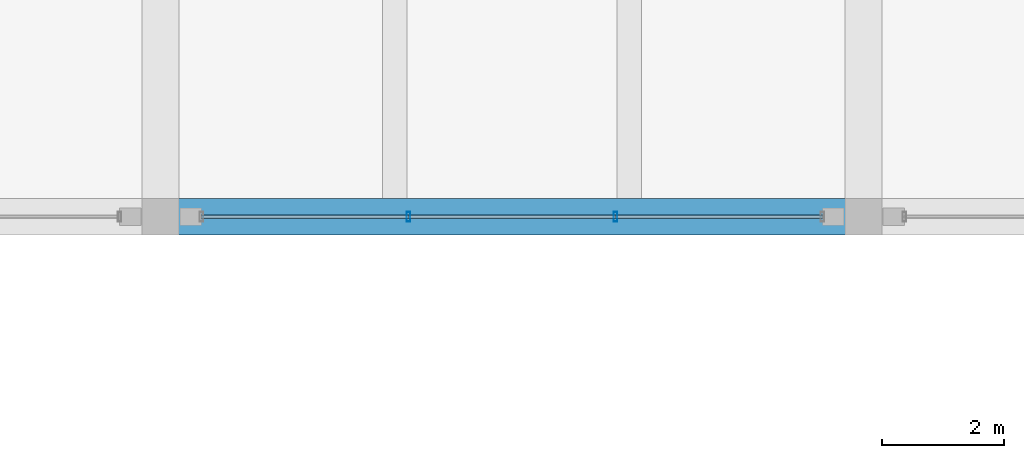
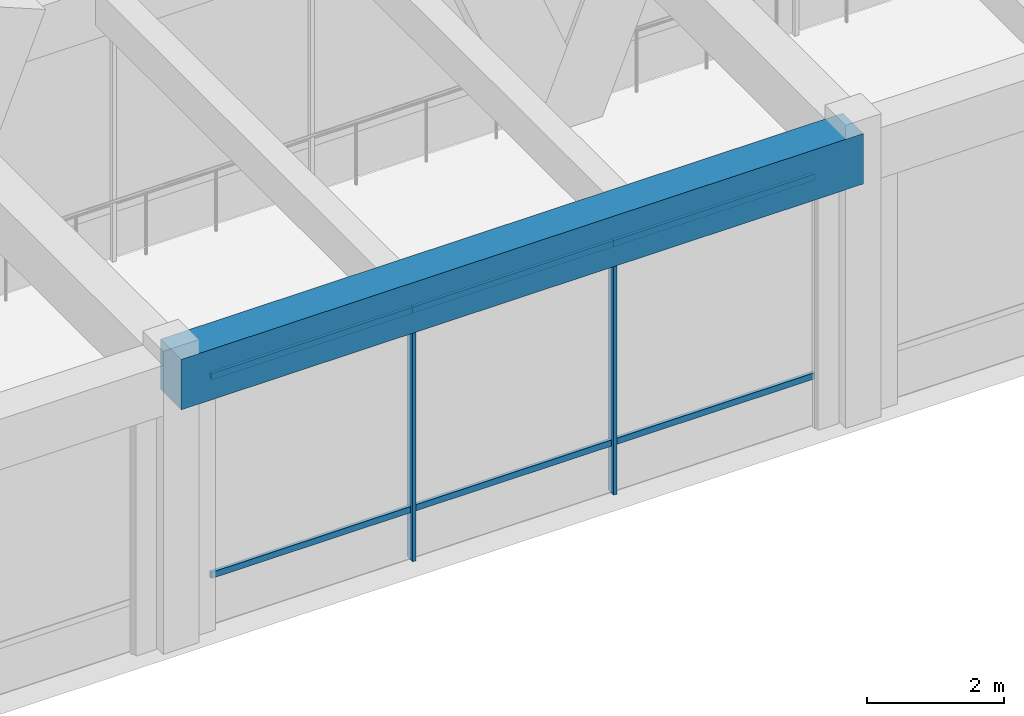
# One storey, part 89 of 148: 8 members, 1 beam, 1 element without a shape of its own.
"""IFC4 building model written with IfcOpenShell, lengths in metres."""

from ifc_helpers import new_model, si_unit, direction, frame, origin, origin_2d, place, context, subcontext, project, spatial, rectangle, hollow_rectangle, extrude, material, material_profile, profile_set, type_object, element, aggregate, save


model = new_model("IFC4")

# Units and contexts
model_context = context("Model", 3, precision=1e-05, world=origin(), true_north=direction((0.0, 1.0)))
body_context = subcontext(model_context, "Body", "Model", "MODEL_VIEW")
ifc_project = project(units=[si_unit("LENGTHUNIT", "METRE"), si_unit("AREAUNIT", "SQUARE_METRE"), si_unit("VOLUMEUNIT", "CUBIC_METRE"), si_unit("PLANEANGLEUNIT", "RADIAN"), si_unit("MASSUNIT", "GRAM", prefix="KILO")], contexts=[model_context])

# Site, building, storey
site_placement = place(None, origin())
site = spatial("IfcSite", under=ifc_project, at=site_placement, CompositionType="ELEMENT")
building_placement = place(site_placement, origin())
building = spatial("IfcBuilding", under=site, at=building_placement, Name="Ologun Quay Terminus", CompositionType="ELEMENT")
storey_placement = place(building_placement, frame((0.0, 0.0, 8.39990234375)))
storey = spatial("IfcBuildingStorey", under=building, at=storey_placement, Name="L02", CompositionType="ELEMENT", Elevation=8.39990234375)

# Curtain wall, members
ifc_material_1 = material(Name="Aluminium 6063-T6", Category="aluminium")
curtain_wall_type = type_object("IfcCurtainWallType", Name="Concourse Departure Curtain Wall 10700x4950", PredefinedType="USERDEFINED", material=ifc_material_1)
curtain_wall_placement = place(storey_placement, origin())
curtain_wall = element("IfcCurtainWall", 1, at=curtain_wall_placement, inside=storey, type_object=curtain_wall_type, Name="CW-05 Curtain Wall CW-L02-032", ObjectType="UNITISED CURTAIN WALL", PredefinedType="USERDEFINED")
ifc_material_2 = material(Name="Aluminium 6063-T6", Category="aluminium")
ifc_material_profile_1 = material_profile(ifc_material_2, hollow_rectangle(XDim=0.06005859375, YDim=0.159912109375, WallThickness=0.00390625, at=origin_2d()), Name="ALU 160x60x4")
ifc_profile_set_1 = profile_set([ifc_material_profile_1], Name="Aluminium 6063-T6")
member_type_1 = type_object("IfcMemberType", Name="Curtain Wall Standard Mullion 160x65", PredefinedType="MULLION", material=ifc_profile_set_1)
member_1_placement = place(storey_placement, frame((153.556640625, 27.199951171875, 0.0), z_axis=(0.0, 0.0, 1.0), x_axis=(1.0, 0.0, 0.0)))
member_1 = element("IfcMember", 2, at=member_1_placement, type_object=member_type_1, Name="CW-L02-032 Mullion 2", PredefinedType="MULLION", context=body_context, shape_type="SweptSolid", body=[
    extrude(hollow_rectangle(XDim=0.06005859375, YDim=0.159912109375, WallThickness=0.00390625, at=origin_2d()), origin(), (0.0, 0.0, 1.0), 5.14013671875),
])
member_2_placement = place(storey_placement, frame((156.943359375, 27.199951171875, 0.0), z_axis=(0.0, 0.0, 1.0), x_axis=(1.0, 0.0, 0.0)))
member_2 = element("IfcMember", 3, at=member_2_placement, type_object=member_type_1, Name="CW-L02-032 Mullion 3", PredefinedType="MULLION", context=body_context, shape_type="SweptSolid", body=[
    extrude(hollow_rectangle(XDim=0.06005859375, YDim=0.159912109375, WallThickness=0.00390625, at=origin_2d()), origin(), (0.0, 0.0, 1.0), 5.14013671875),
])
ifc_material_3 = material(Name="Aluminium 6063-T6", Category="aluminium")
ifc_material_profile_2 = material_profile(ifc_material_3, hollow_rectangle(XDim=0.054931640625, YDim=0.110107421875, WallThickness=0.00390625, at=origin_2d()), Name="ALU 110x55x4")
ifc_profile_set_2 = profile_set([ifc_material_profile_2], Name="Aluminium 6063-T6")
member_type_2 = type_object("IfcMemberType", Name="Curtain Wall Standard Transom 110x55", PredefinedType="USERDEFINED", material=ifc_profile_set_2)
member_3_placement = place(storey_placement, frame((150.169921875, 27.199951171875, 0.900146484375), z_axis=(1.0, 0.0, 0.0), x_axis=(0.0, 1.0, 0.0)))
member_3 = element("IfcMember", 4, at=member_3_placement, type_object=member_type_2, Name="CW-L02-032 Transom B1-1", ObjectType="TRANSOM", PredefinedType="USERDEFINED", context=body_context, shape_type="SweptSolid", body=[
    extrude(hollow_rectangle(XDim=0.054931640625, YDim=0.110107421875, WallThickness=0.00390625, at=origin_2d()), origin(), (0.0, 0.0, 1.0), 3.38671875),
])
member_4_placement = place(storey_placement, frame((150.169921875, 27.199951171875, 4.440185546875), z_axis=(1.0, 0.0, 0.0), x_axis=(0.0, 1.0, 0.0)))
member_4 = element("IfcMember", 5, at=member_4_placement, type_object=member_type_2, Name="CW-L02-032 Transom B1-2", ObjectType="TRANSOM", PredefinedType="USERDEFINED", context=body_context, shape_type="SweptSolid", body=[
    extrude(hollow_rectangle(XDim=0.054931640625, YDim=0.110107421875, WallThickness=0.00390625, at=origin_2d()), origin(), (0.0, 0.0, 1.0), 3.38671875),
])
member_5_placement = place(storey_placement, frame((153.556640625, 27.199951171875, 0.900146484375), z_axis=(1.0, 0.0, 0.0), x_axis=(0.0, 1.0, 0.0)))
member_5 = element("IfcMember", 6, at=member_5_placement, type_object=member_type_2, Name="CW-L02-032 Transom B2-1", ObjectType="TRANSOM", PredefinedType="USERDEFINED", context=body_context, shape_type="SweptSolid", body=[
    extrude(hollow_rectangle(XDim=0.054931640625, YDim=0.110107421875, WallThickness=0.00390625, at=origin_2d()), origin(), (0.0, 0.0, 1.0), 3.38671875),
])
member_6_placement = place(storey_placement, frame((153.556640625, 27.199951171875, 4.440185546875), z_axis=(1.0, 0.0, 0.0), x_axis=(0.0, 1.0, 0.0)))
member_6 = element("IfcMember", 7, at=member_6_placement, type_object=member_type_2, Name="CW-L02-032 Transom B2-2", ObjectType="TRANSOM", PredefinedType="USERDEFINED", context=body_context, shape_type="SweptSolid", body=[
    extrude(hollow_rectangle(XDim=0.054931640625, YDim=0.110107421875, WallThickness=0.00390625, at=origin_2d()), origin(), (0.0, 0.0, 1.0), 3.38671875),
])
member_7_placement = place(storey_placement, frame((156.943359375, 27.199951171875, 0.900146484375), z_axis=(1.0, 0.0, 0.0), x_axis=(0.0, 1.0, 0.0)))
member_7 = element("IfcMember", 8, at=member_7_placement, type_object=member_type_2, Name="CW-L02-032 Transom B3-1", ObjectType="TRANSOM", PredefinedType="USERDEFINED", context=body_context, shape_type="SweptSolid", body=[
    extrude(hollow_rectangle(XDim=0.054931640625, YDim=0.110107421875, WallThickness=0.00390625, at=origin_2d()), origin(), (0.0, 0.0, 1.0), 3.38671875),
])
member_8_placement = place(storey_placement, frame((156.943359375, 27.199951171875, 4.440185546875), z_axis=(1.0, 0.0, 0.0), x_axis=(0.0, 1.0, 0.0)))
member_8 = element("IfcMember", 9, at=member_8_placement, type_object=member_type_2, Name="CW-L02-032 Transom B3-2", ObjectType="TRANSOM", PredefinedType="USERDEFINED", context=body_context, shape_type="SweptSolid", body=[
    extrude(hollow_rectangle(XDim=0.054931640625, YDim=0.110107421875, WallThickness=0.00390625, at=origin_2d()), origin(), (0.0, 0.0, 1.0), 3.38671875),
])
aggregate(curtain_wall, [member_1, member_2, member_3, member_4, member_5, member_6, member_7, member_8])

# Beam
ifc_material_4 = material(Name="Concrete C40/50", Category="concrete")
ifc_material_profile_3 = material_profile(ifc_material_4, rectangle(XDim=0.60009765625, YDim=0.89990234375, at=origin_2d()), Name="RC 600x900")
ifc_profile_set_3 = profile_set([ifc_material_profile_3], Name="Concrete C40/50")
beam_type = type_object("IfcBeamType", Name="Station Frame Girder 600x900", PredefinedType="BEAM", material=ifc_profile_set_3)
beam_placement = place(storey_placement, frame((149.5, 27.199951171875, 4.7001953125), z_axis=(1.0, 0.0, 0.0), x_axis=(0.0, 1.0, 0.0)))
element("IfcBeam", 10, at=beam_placement, inside=storey, type_object=beam_type, Name="B3 Beam 14/D L02", PredefinedType="BEAM", context=body_context, shape_type="SweptSolid", body=[
    extrude(rectangle(XDim=0.60009765625, YDim=0.89990234375, at=origin_2d()), origin(), (0.0, 0.0, 1.0), 11.5),
])

save(model, "model.ifc")
